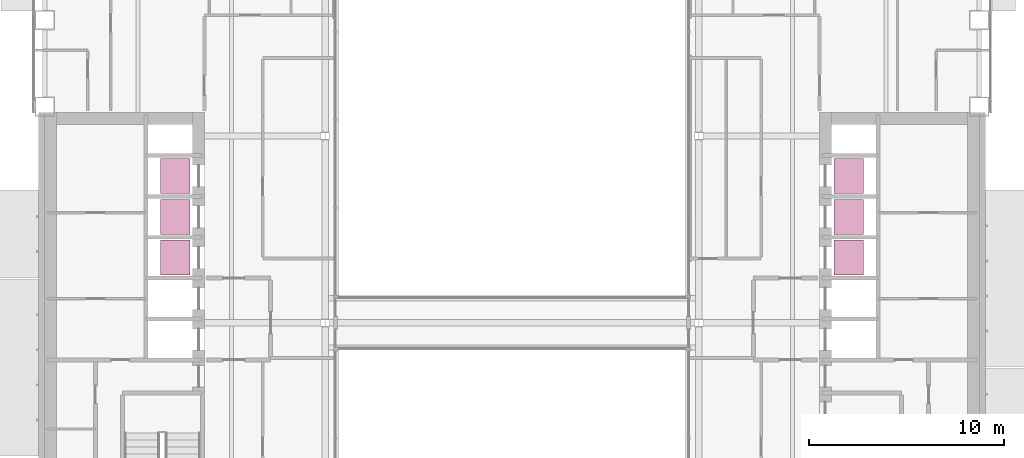
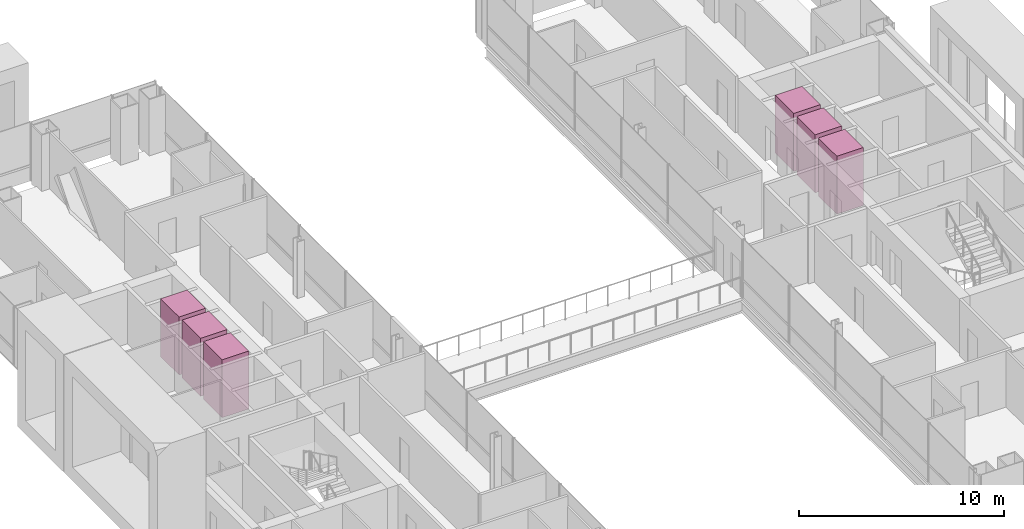
# One storey, part 26 of 26: 6 transport elements.
"""IFC4 building model written with IfcOpenShell, lengths in metres."""

import ifcopenshell
import ifcopenshell.guid

model = None  # the IFC model being written
_history = None  # IfcOwnerHistory: only IFC2X3 demands one
_inside = {}  # id of a spatial element -> (the spatial element, [elements in it])
_under = {}  # id of a project, library or spatial element -> (it, [spatial elements below it])
_declared = {}  # id of a project -> (the project, [libraries it declares])
_typed = {}  # id of a type object -> (the type object, [elements of that type])
_made_of = {}  # id of a material, layer set ... -> (it, [elements and type objects made of it])


def new_model(schema):
    """Start an empty IFC model of exactly this schema.

    Asked for "IFC4X3", IfcOpenShell would pick the latest addendum, in which some entities
    have other attributes; the version numbers below select the first issue.
    IFC2X3 requires an IfcOwnerHistory on every rooted entity: one is made here for all.
    """
    global model, _history
    if schema == "IFC4X3":
        model = ifcopenshell.file(schema_version=(4, 3, 0, 0))
    else:
        model = ifcopenshell.file(schema=schema)
    _inside.clear()
    _under.clear()
    _declared.clear()
    _typed.clear()
    _made_of.clear()
    _history = None
    if model.schema == "IFC2X3":
        org = make("IfcOrganization", Name="unknown")
        user = make(
            "IfcPersonAndOrganization",
            ThePerson=make("IfcPerson", FamilyName="unknown"),
            TheOrganization=org,
        )
        app = make(
            "IfcApplication",
            ApplicationDeveloper=org,
            Version="unknown",
            ApplicationFullName="unknown",
            ApplicationIdentifier="unknown",
        )
        _history = make(
            "IfcOwnerHistory",
            OwningUser=user,
            OwningApplication=app,
            ChangeAction="ADDED",
            CreationDate=0,
        )
    return model


def make(cls, **values):
    """One entity of the class cls with the attributes given. An attribute that is None is left unset."""
    return model.create_entity(
        cls, **{name: value for name, value in values.items() if value is not None}
    )


def rooted(cls, **values):
    """An entity with a GlobalId (a new one), such as an element, a storey or a relation."""
    return make(cls, GlobalId=ifcopenshell.guid.new(), OwnerHistory=_history, **values)


def si_unit(unit_type, name, prefix=None):
    """IfcSIUnit, for example si_unit("LENGTHUNIT", "METRE", prefix="MILLI")."""
    return make("IfcSIUnit", UnitType=unit_type, Prefix=prefix, Name=name)


def assignment(units):
    """IfcUnitAssignment: the units of a project."""
    return None if units is None else make("IfcUnitAssignment", Units=units)


def point(xyz):
    """IfcCartesianPoint."""
    return None if xyz is None else make("IfcCartesianPoint", Coordinates=xyz)


def direction(xyz):
    """IfcDirection."""
    return None if xyz is None else make("IfcDirection", DirectionRatios=xyz)


def frame(location, z_axis=None, x_axis=None):
    """IfcAxis2Placement3D, a coordinate frame: its origin and axes. An axis left out is left unset."""
    return make(
        "IfcAxis2Placement3D",
        Location=point(location),
        Axis=direction(z_axis),
        RefDirection=direction(x_axis),
    )


def frame_2d(location, x_axis=None):
    """IfcAxis2Placement2D, a coordinate frame in the plane: its origin and x axis."""
    return make(
        "IfcAxis2Placement2D", Location=point(location), RefDirection=direction(x_axis)
    )


def origin():
    """The frame at (0, 0, 0) with its axes left unset."""
    return frame((0.0, 0.0, 0.0))


def origin_2d():
    """The frame at (0, 0) in the plane with its x axis left unset."""
    return frame_2d((0.0, 0.0))


def place(relative_to, where):
    """IfcLocalPlacement: puts the frame where relative to a parent placement (None: the world)."""
    return make(
        "IfcLocalPlacement", PlacementRelTo=relative_to, RelativePlacement=where
    )


def context(
    kind, dimensions, precision=None, world=None, true_north=None, identifier=None
):
    """IfcGeometricRepresentationContext, for example the 3D "Model" context."""
    return make(
        "IfcGeometricRepresentationContext",
        ContextIdentifier=identifier,
        ContextType=kind,
        CoordinateSpaceDimension=dimensions,
        Precision=precision,
        WorldCoordinateSystem=world,
        TrueNorth=true_north,
    )


def subcontext(parent, identifier, kind, view, scale=None):
    """IfcGeometricRepresentationSubContext, for example "Body" below "Model"."""
    return make(
        "IfcGeometricRepresentationSubContext",
        ContextIdentifier=identifier,
        ContextType=kind,
        ParentContext=parent,
        TargetScale=scale,
        TargetView=view,
    )


def project(units=None, contexts=None):
    """IfcProject with its units and contexts."""
    return rooted(
        "IfcProject",
        Name="project",
        RepresentationContexts=contexts,
        UnitsInContext=assignment(units),
    )


def spatial(cls, under=None, at=None, **own):
    """A site, building, storey or space (cls), placed at a placement, below another one or the project."""
    s = rooted(cls, ObjectPlacement=at, **own)
    if under is not None:
        _under.setdefault(under.id(), (under, []))[1].append(s)
    return s


def profile(cls, at=None, kind="AREA", **sizes):
    """A parametric profile (cls). Its sizes go by their IFC names, for example OverallWidth=200.0."""
    return make(cls, ProfileType=kind, Position=at, **sizes)


def rectangle(**sizes):
    """IfcRectangleProfileDef."""
    return profile("IfcRectangleProfileDef", **sizes)


def extrude(swept, where, along, depth):
    """IfcExtrudedAreaSolid: the profile swept, set in the frame where, extruded along a direction by depth."""
    return make(
        "IfcExtrudedAreaSolid",
        SweptArea=swept,
        Position=where,
        ExtrudedDirection=direction(along),
        Depth=depth,
    )


def shape(context_of_items, identifier, shape_type, items):
    """IfcShapeRepresentation: the items that make up one representation, for example the "Body"."""
    return make(
        "IfcShapeRepresentation",
        ContextOfItems=context_of_items,
        RepresentationIdentifier=identifier,
        RepresentationType=shape_type,
        Items=items,
    )


def material(Name=None, Category=None):
    """IfcMaterial."""
    return make("IfcMaterial", Name=Name, Category=Category)


def made_of(thing, what):
    """Note that an element or type object is made of a material, layer set ...; save() writes the relation."""
    if what is not None:
        _made_of.setdefault(what.id(), (what, []))[1].append(thing)
    return thing


def type_object(cls, material=None, **own):
    """A type object (cls), such as IfcWallType, which elements share."""
    return made_of(rooted(cls, **own), material)


def element(
    cls,
    number,
    at=None,
    inside=None,
    cuts=None,
    type_object=None,
    material=None,
    context=None,
    identifier="Body",
    shape_type=None,
    held_by="IfcProductDefinitionShape",
    body=None,
    shapes=None,
    **own,
):
    """One element of the class cls, such as IfcWall. Its Tag is "e" and its number.

    at: its placement. inside: the storey or other place that contains it. cuts: it is an
    opening in that element (IfcRelVoidsElement). A single representation is given by context,
    identifier, shape_type and body (its items); several are given by shapes. held_by: the class
    of the entity that holds the representations. save() writes the other relations.
    """
    e = rooted(cls, Tag="e%d" % number, ObjectPlacement=at, **own)
    if body is not None:
        shapes = [shape(context, identifier, shape_type, body)]
    if shapes is not None:
        e.Representation = make(held_by, Representations=shapes)
    if inside is not None:
        _inside.setdefault(inside.id(), (inside, []))[1].append(e)
    if cuts is not None:
        rooted(
            "IfcRelVoidsElement", RelatingBuildingElement=cuts, RelatedOpeningElement=e
        )
    if type_object is not None:
        _typed.setdefault(type_object.id(), (type_object, []))[1].append(e)
    return made_of(e, material)


def aggregate(whole, parts):
    """IfcRelAggregates: a whole, such as a stair, and the parts it consists of."""
    return rooted("IfcRelAggregates", RelatingObject=whole, RelatedObjects=parts)


def save(model, path):
    """Write the relations noted so far, then the file.

    IfcRelAggregates (storeys below a building ...), IfcRelContainedInSpatialStructure (elements
    in a storey), IfcRelDefinesByType, IfcRelAssociatesMaterial and IfcRelDeclares: one each for
    every whole, place, type object, material and project.
    """
    for whole, parts in _under.values():
        aggregate(whole, parts)
    for where, things in _inside.values():
        rooted(
            "IfcRelContainedInSpatialStructure",
            RelatedElements=things,
            RelatingStructure=where,
        )
    for kind, things in _typed.values():
        rooted("IfcRelDefinesByType", RelatedObjects=things, RelatingType=kind)
    for what, things in _made_of.values():
        rooted("IfcRelAssociatesMaterial", RelatedObjects=things, RelatingMaterial=what)
    for by, libraries in _declared.values():
        rooted("IfcRelDeclares", RelatingContext=by, RelatedDefinitions=libraries)
    model.write(path)


model = new_model("IFC4")

# Units and contexts
model_context = context("Model", 3, precision=1e-05, world=origin(), true_north=direction((0.0, 1.0)))
body_context = subcontext(model_context, "Body", "Model", "MODEL_VIEW")
ifc_project = project(units=[si_unit("LENGTHUNIT", "METRE"), si_unit("AREAUNIT", "SQUARE_METRE"), si_unit("VOLUMEUNIT", "CUBIC_METRE"), si_unit("PLANEANGLEUNIT", "RADIAN"), si_unit("MASSUNIT", "GRAM", prefix="KILO")], contexts=[model_context])

# Site, building, storey
site_placement = place(None, origin())
site = spatial("IfcSite", under=ifc_project, at=site_placement, CompositionType="ELEMENT")
building_placement = place(site_placement, origin())
building = spatial("IfcBuilding", under=site, at=building_placement, Name="Cobrizo Arcos Hotel Tower", CompositionType="ELEMENT")
storey_placement = place(building_placement, frame((0.0, 0.0, 67.0)))
storey = spatial("IfcBuildingStorey", under=building, at=storey_placement, Name="L15", CompositionType="ELEMENT", Elevation=67.0)

# Transport elements
ifc_material = material(Name="Stainless steel car", Category="steel")
transport_element_type = type_object("IfcTransportElementType", Name="Lift car Low 1.8x1.5", PredefinedType="ELEVATOR", material=ifc_material)
for number, where, z_axis, x_axis, name in (
    (1, (-17.300048828125, 3.35009765625, 0.0), (0.0, 0.0, 1.0), (1.0, 0.0, 0.0), "Low-rise passenger lift W1"),
    (2, (-17.300048828125, 5.449951171875, 0.0), (0.0, 0.0, 1.0), (1.0, 0.0, 0.0), "Low-rise passenger lift W2"),
    (3, (-17.300048828125, 7.550048828125, 0.0), (0.0, 0.0, 1.0), (1.0, 0.0, 0.0), "Low-rise passenger lift W3"),
    (4, (17.300048828125, 3.35009765625, 0.0), (0.0, 0.0, 1.0), (1.0, 0.0, 0.0), "Low-rise passenger lift E1"),
    (5, (17.300048828125, 5.449951171875, 0.0), (0.0, 0.0, 1.0), (1.0, 0.0, 0.0), "Low-rise passenger lift E2"),
    (6, (17.300048828125, 7.550048828125, 0.0), (0.0, 0.0, 1.0), (1.0, 0.0, 0.0), "Low-rise passenger lift E3"),
):
    element("IfcTransportElement", number, at=place(storey_placement, frame(where, z_axis=z_axis, x_axis=x_axis)), inside=storey, type_object=transport_element_type, Name=name, PredefinedType="ELEVATOR", context=body_context, shape_type="SweptSolid", body=[
        extrude(rectangle(XDim=1.5, YDim=1.800048828125, at=origin_2d()), origin(), (0.0, 0.0, 1.0), 3.449951171875),
    ])

save(model, "model.ifc")
